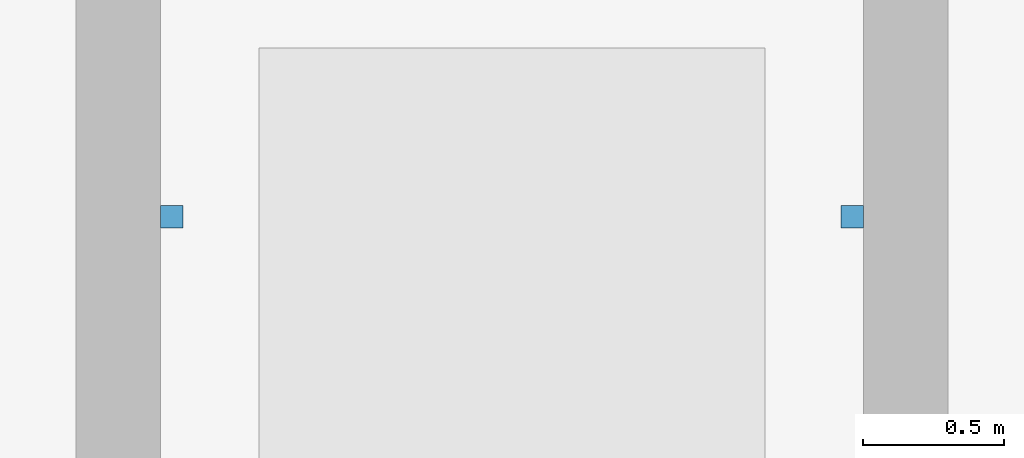
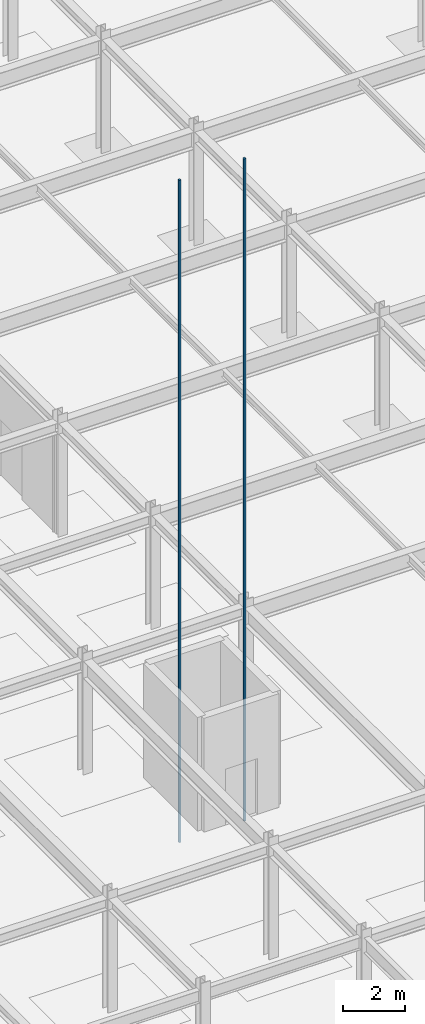
# One storey, part 51 of 69: 2 discrete accessories.
"""IFC4 building model written with IfcOpenShell, lengths in metres."""

from ifc_helpers import new_model, si_unit, direction, frame, origin, origin_2d, place, context, subcontext, project, spatial, rectangle, extrude, material, type_object, element, save


model = new_model("IFC4")

# Units and contexts
model_context = context("Model", 3, precision=1e-05, world=origin(), true_north=direction((0.0, 1.0)))
body_context = subcontext(model_context, "Body", "Model", "MODEL_VIEW")
ifc_project = project(units=[si_unit("LENGTHUNIT", "METRE"), si_unit("AREAUNIT", "SQUARE_METRE"), si_unit("VOLUMEUNIT", "CUBIC_METRE"), si_unit("PLANEANGLEUNIT", "RADIAN"), si_unit("MASSUNIT", "GRAM", prefix="KILO")], contexts=[model_context])

# Site, building, storey
site_placement = place(None, origin())
site = spatial("IfcSite", under=ifc_project, at=site_placement, CompositionType="ELEMENT")
building_placement = place(site_placement, origin())
building = spatial("IfcBuilding", under=site, at=building_placement, Name="Zlatovratsky Civic Hall", CompositionType="ELEMENT")
storey_placement = place(building_placement, frame((0.0, 0.0, -4.800048828125)))
storey = spatial("IfcBuildingStorey", under=building, at=storey_placement, Name="B1", CompositionType="ELEMENT", Elevation=-4.800048828125)

# Discrete accessories
ifc_material = material(Name="Steel S355", Category="steel")
discrete_accessory_type = type_object("IfcDiscreteAccessoryType", Name="Lift_GuideRail", PredefinedType="USERDEFINED", material=ifc_material)
for number, where, z_axis, x_axis, name in (
    (1, (115.7900390625, 27.0, -1.60009765625), (0.0, 0.0, 1.0), (1.0, 0.0, 0.0), "Lift Guide Rail LP-08 L"),
    (2, (118.2099609375, 27.0, -1.60009765625), (0.0, 0.0, 1.0), (1.0, 0.0, 0.0), "Lift Guide Rail LP-08 R"),
):
    element("IfcDiscreteAccessory", number, at=place(storey_placement, frame(where, z_axis=z_axis, x_axis=x_axis)), inside=storey, type_object=discrete_accessory_type, Name=name, ObjectType="GUIDE RAIL", PredefinedType="USERDEFINED", context=body_context, shape_type="SweptSolid", body=[
        extrude(rectangle(XDim=0.080078125, YDim=0.080078125, at=origin_2d()), origin(), (0.0, 0.0, 1.0), 26.10009765625),
    ])

save(model, "model.ifc")
